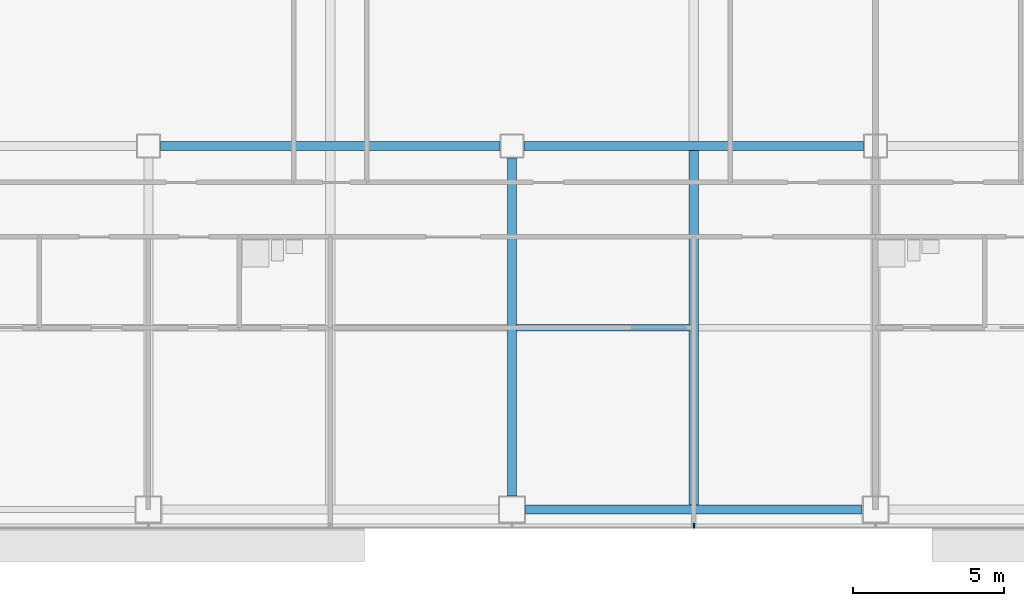
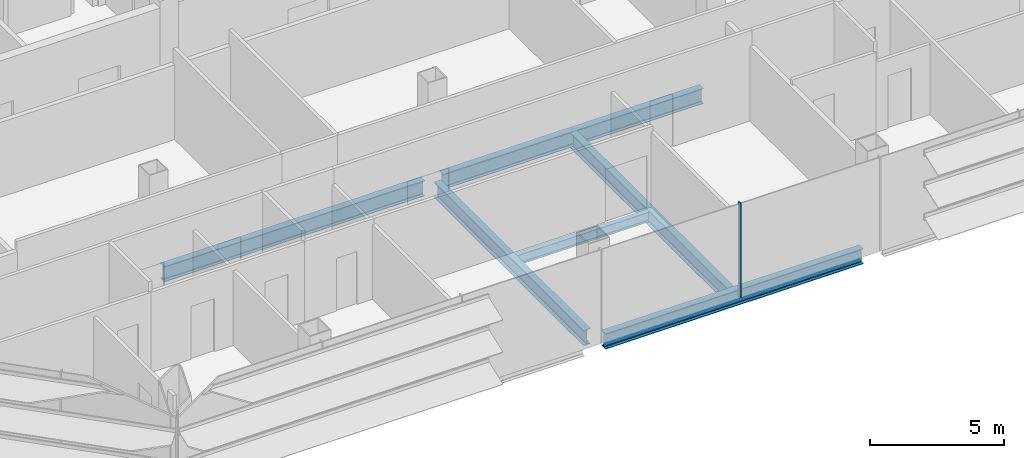
# One storey, part 3 of 27: 6 beams, 1 member, 1 element without a shape of its own.
"""IFC4 building model written with IfcOpenShell, lengths in metres."""

from ifc_helpers import new_model, si_unit, direction, frame, origin, origin_2d, place, context, subcontext, project, spatial, rectangle, i_section, extrude, material, material_profile, profile_set, type_object, element, aggregate, save


model = new_model("IFC4")

# Units and contexts
model_context = context("Model", 3, precision=1e-05, world=origin(), true_north=direction((0.0, 1.0)))
body_context = subcontext(model_context, "Body", "Model", "MODEL_VIEW")
ifc_project = project(units=[si_unit("LENGTHUNIT", "METRE"), si_unit("AREAUNIT", "SQUARE_METRE"), si_unit("VOLUMEUNIT", "CUBIC_METRE"), si_unit("PLANEANGLEUNIT", "RADIAN"), si_unit("MASSUNIT", "GRAM", prefix="KILO")], contexts=[model_context])

# Site, building, storey
site_placement = place(None, origin())
site = spatial("IfcSite", under=ifc_project, at=site_placement, CompositionType="ELEMENT")
building_placement = place(site_placement, origin())
building = spatial("IfcBuilding", under=site, at=building_placement, Name="Sorahane Residences", CompositionType="ELEMENT")
storey_placement = place(building_placement, frame((0.0, 0.0, 85.800048828125)))
storey = spatial("IfcBuildingStorey", under=building, at=storey_placement, Name="L18", CompositionType="ELEMENT", Elevation=85.800048828125)

# Curtain wall, member
ifc_material_1 = material(Name="Dark low-e glass and black anodised aluminium", Category="aluminium")
curtain_wall_type = type_object("IfcCurtainWallType", Name="Curtain wall CW-1 Typical unitised wall", PredefinedType="NOTDEFINED", material=ifc_material_1)
curtain_wall_placement = place(storey_placement, origin())
curtain_wall = element("IfcCurtainWall", 1, at=curtain_wall_placement, inside=storey, type_object=curtain_wall_type, Name="CW-1 curtain wall L18 S1", PredefinedType="NOTDEFINED")
ifc_material_2 = material(Name="Black anodised aluminium", Category="aluminium")
ifc_material_profile_1 = material_profile(ifc_material_2, rectangle(XDim=0.159912109375, YDim=0.050048828125, at=origin_2d()), Name="Curtain wall mullion CW-1 black anodised aluminium 50x160")
ifc_profile_set_1 = profile_set([ifc_material_profile_1], Name="Black anodised aluminium")
member_type = type_object("IfcMemberType", Name="Curtain wall mullion CW-1 black anodised aluminium 50x160", PredefinedType="MULLION", material=ifc_profile_set_1)
member_placement = place(storey_placement, frame((30.0, -0.5400390625, -0.179931640625), z_axis=(0.0, 0.0, 1.0), x_axis=(0.0, -1.0, 0.0)))
member = element("IfcMember", 2, at=member_placement, type_object=member_type, Name="CW-1 mullion L18 S1.5", PredefinedType="MULLION", context=body_context, shape_type="SweptSolid", body=[
    extrude(rectangle(XDim=0.159912109375, YDim=0.050048828125, at=origin_2d()), origin(), (0.0, 0.0, 1.0), 4.27978515625),
])
aggregate(curtain_wall, [member])

# Beams
ifc_material_3 = material(Name="Steel Q355B", Category="steel")
ifc_material_profile_2 = material_profile(ifc_material_3, i_section(OverallWidth=0.199951171875, OverallDepth=0.449951171875, WebThickness=0.009033203125, FlangeThickness=0.013916015625, FilletRadius=0.02001953125, at=origin_2d()), Name="HN 450x200x9x14")
ifc_profile_set_2 = profile_set([ifc_material_profile_2], Name="Steel Q355B")
beam_type_1 = type_object("IfcBeamType", Name="Steel floor beam HN 450x200x9x14 Q355B", PredefinedType="BEAM", material=ifc_profile_set_2)
beam_1_placement = place(storey_placement, frame((24.14990234375, 6.0, -0.405029296875), z_axis=(1.0, 0.0, 0.0), x_axis=(0.0, 1.0, 0.0)))
element("IfcBeam", 3, at=beam_1_placement, inside=storey, type_object=beam_type_1, Name="Beam L18 065", PredefinedType="BEAM", context=body_context, shape_type="SweptSolid", body=[
    extrude(i_section(OverallWidth=0.199951171875, OverallDepth=0.449951171875, WebThickness=0.009033203125, FlangeThickness=0.013916015625, FilletRadius=0.02001953125, at=origin_2d()), origin(), (0.0, 0.0, 1.0), 5.7001953125),
])
ifc_material_4 = material(Name="Steel Q355B", Category="steel")
ifc_material_profile_3 = material_profile(ifc_material_4, i_section(OverallWidth=0.300048828125, OverallDepth=0.699951171875, WebThickness=0.012939453125, FlangeThickness=0.02392578125, FilletRadius=0.028076171875, at=origin_2d()), Name="HN 700x300x13x24")
ifc_profile_set_3 = profile_set([ifc_material_profile_3], Name="Steel Q355B")
beam_type_2 = type_object("IfcBeamType", Name="Steel floor beam HN 700x300x13x24 Q355B", PredefinedType="BEAM", material=ifc_profile_set_3)
beam_2_placement = place(storey_placement, frame((24.449951171875, 0.0, -0.530029296875), z_axis=(1.0, 0.0, 0.0), x_axis=(0.0, 1.0, 0.0)))
element("IfcBeam", 4, at=beam_2_placement, inside=storey, type_object=beam_type_2, Name="Beam L18 002", PredefinedType="BEAM", context=body_context, shape_type="SweptSolid", body=[
    extrude(i_section(OverallWidth=0.300048828125, OverallDepth=0.699951171875, WebThickness=0.012939453125, FlangeThickness=0.02392578125, FilletRadius=0.028076171875, at=origin_2d()), origin(), (0.0, 0.0, 1.0), 11.10009765625),
])
for number, where, z_axis, x_axis, name in (
    (5, (12.39990234375, 12.0, -0.530029296875), (1.0, 0.0, 0.0), (0.0, 1.0, 0.0), "Beam L18 006"),
    (6, (24.39990234375, 12.0, -0.530029296875), (1.0, 0.0, 0.0), (0.0, 1.0, 0.0), "Beam L18 007"),
):
    element("IfcBeam", number, at=place(storey_placement, frame(where, z_axis=z_axis, x_axis=x_axis)), inside=storey, type_object=beam_type_2, Name=name, PredefinedType="BEAM", context=body_context, shape_type="SweptSolid", body=[
        extrude(i_section(OverallWidth=0.300048828125, OverallDepth=0.699951171875, WebThickness=0.012939453125, FlangeThickness=0.02392578125, FilletRadius=0.028076171875, at=origin_2d()), origin(), (0.0, 0.0, 1.0), 11.2001953125),
    ])
beam_3_placement = place(storey_placement, frame((24.0, 0.449951171875, -0.530029296875), z_axis=(0.0, 1.0, 0.0), x_axis=(-1.0, 0.0, 0.0)))
element("IfcBeam", 7, at=beam_3_placement, inside=storey, type_object=beam_type_2, Name="Beam L18 035", PredefinedType="BEAM", context=body_context, shape_type="SweptSolid", body=[
    extrude(i_section(OverallWidth=0.300048828125, OverallDepth=0.699951171875, WebThickness=0.012939453125, FlangeThickness=0.02392578125, FilletRadius=0.028076171875, at=origin_2d()), origin(), (0.0, 0.0, 1.0), 11.150146484375),
])
beam_4_placement = place(storey_placement, frame((30.0, 0.14990234375, -0.530029296875), z_axis=(0.0, 1.0, 0.0), x_axis=(-1.0, 0.0, 0.0)))
element("IfcBeam", 8, at=beam_4_placement, inside=storey, type_object=beam_type_2, Name="Beam L18 037", PredefinedType="BEAM", context=body_context, shape_type="SweptSolid", body=[
    extrude(i_section(OverallWidth=0.300048828125, OverallDepth=0.699951171875, WebThickness=0.012939453125, FlangeThickness=0.02392578125, FilletRadius=0.028076171875, at=origin_2d()), origin(), (0.0, 0.0, 1.0), 11.7001953125),
])

save(model, "model.ifc")
